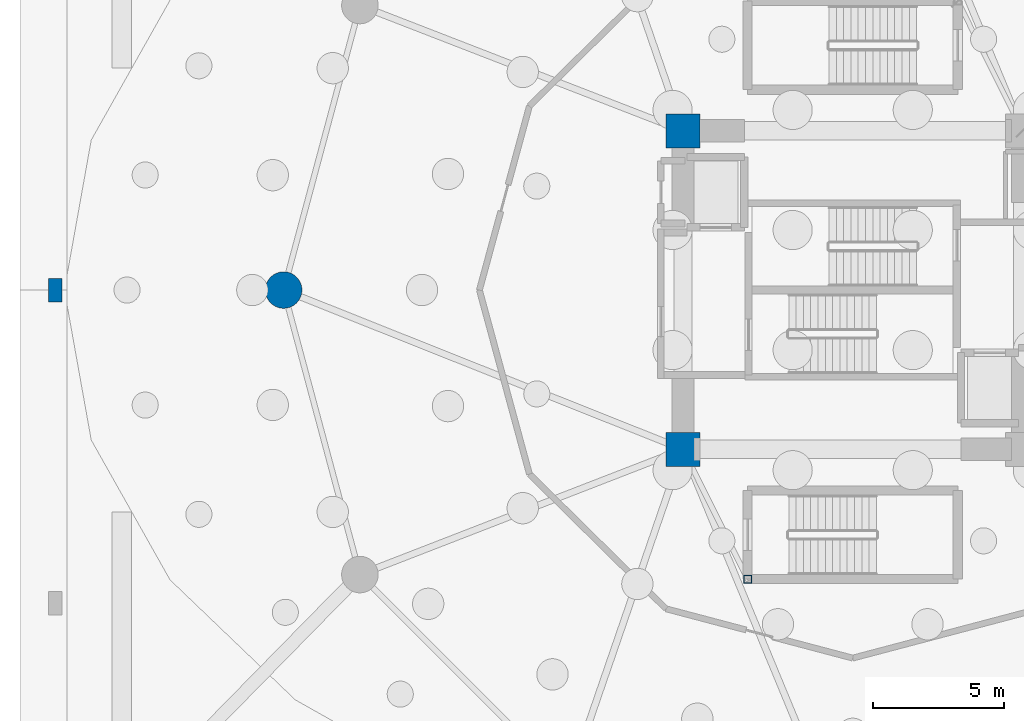
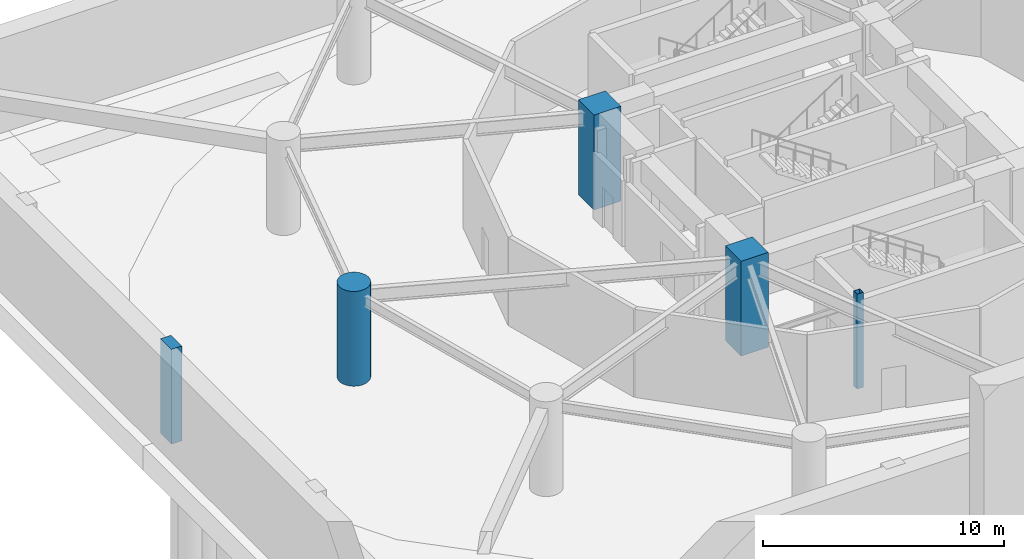
# One storey, part 2 of 12: 5 columns.
"""IFC4 building model written with IfcOpenShell, lengths in metres."""

from ifc_helpers import new_model, si_unit, direction, frame, origin, origin_2d, place, context, subcontext, project, spatial, rectangle, hollow_rectangle, circle, extrude, material, material_profile, profile_set, type_object, element, save


model = new_model("IFC4")

# Units and contexts
model_context = context("Model", 3, precision=1e-05, world=origin(), true_north=direction((0.0, 1.0)))
body_context = subcontext(model_context, "Body", "Model", "MODEL_VIEW")
ifc_project = project(units=[si_unit("LENGTHUNIT", "METRE"), si_unit("AREAUNIT", "SQUARE_METRE"), si_unit("VOLUMEUNIT", "CUBIC_METRE"), si_unit("PLANEANGLEUNIT", "RADIAN"), si_unit("MASSUNIT", "GRAM", prefix="KILO")], contexts=[model_context])

# Site, building, storey
site_placement = place(None, origin())
site = spatial("IfcSite", under=ifc_project, at=site_placement, CompositionType="ELEMENT")
building_placement = place(site_placement, origin())
building = spatial("IfcBuilding", under=site, at=building_placement, Name="Solvirekh Grand Hotel", CompositionType="ELEMENT")
storey_placement = place(building_placement, frame((0.0, 0.0, -9.60009765625)))
storey = spatial("IfcBuildingStorey", under=building, at=storey_placement, Name="B02", CompositionType="ELEMENT", Elevation=-9.60009765625)

# Columns
ifc_material_1 = material(Name="Concrete C60/75", Category="concrete")
ifc_material_profile_1 = material_profile(ifc_material_1, circle(Radius=0.699951171875, at=origin_2d()), Name="RC CIRC D1400")
ifc_profile_set_1 = profile_set([ifc_material_profile_1], Name="Concrete C60/75")
column_type_1 = type_object("IfcColumnType", Name="Col_Base_D1400", PredefinedType="COLUMN", material=ifc_profile_set_1)
column_1_placement = place(storey_placement, frame((-21.800048828125, 0.0, 0.0), z_axis=(0.0, 0.0, 1.0), x_axis=(1.0, 0.0, 0.0)))
element("IfcColumn", 1, at=column_1_placement, inside=storey, type_object=column_type_1, Name="B02 perimeter column P07", PredefinedType="COLUMN", context=body_context, shape_type="SweptSolid", body=[
    extrude(circle(Radius=0.699951171875, at=origin_2d()), origin(), (0.0, 0.0, 1.0), 4.800048828125),
])
ifc_material_profile_2 = material_profile(ifc_material_1, rectangle(XDim=1.300048828125, YDim=1.300048828125, at=origin_2d()), Name="RC 1300X1300")
ifc_profile_set_2 = profile_set([ifc_material_profile_2], Name="Concrete C60/75")
column_type_2 = type_object("IfcColumnType", Name="Col_Core_1300", PredefinedType="COLUMN", material=ifc_profile_set_2)
for number, where, z_axis, x_axis, name in (
    (2, (-6.5, -6.10009765625, 0.0), (0.0, 0.0, 1.0), (1.0, 0.0, 0.0), "B02 core corner column CC1"),
    (3, (-6.5, 6.10009765625, 0.0), (0.0, 0.0, 1.0), (1.0, 0.0, 0.0), "B02 core corner column CC4"),
):
    element("IfcColumn", number, at=place(storey_placement, frame(where, z_axis=z_axis, x_axis=x_axis)), inside=storey, type_object=column_type_2, Name=name, PredefinedType="COLUMN", context=body_context, shape_type="SweptSolid", body=[
        extrude(rectangle(XDim=1.300048828125, YDim=1.300048828125, at=origin_2d()), origin(), (0.0, 0.0, 1.0), 4.800048828125),
    ])
ifc_material_2 = material(Name="Steel S355", Category="steel")
ifc_material_profile_3 = material_profile(ifc_material_2, hollow_rectangle(XDim=0.300048828125, YDim=0.300048828125, WallThickness=0.01611328125, at=origin_2d()), Name="SHS 300X300X16")
ifc_profile_set_3 = profile_set([ifc_material_profile_3], Name="Steel S355")
column_type_3 = type_object("IfcColumnType", Name="Col_Pod_SHS300", PredefinedType="COLUMN", material=ifc_profile_set_3)
column_2_placement = place(storey_placement, frame((-4.02490234375, -11.074951171875, 0.0), z_axis=(0.0, 0.0, 1.0), x_axis=(1.0, 0.0, 0.0)))
element("IfcColumn", 4, at=column_2_placement, inside=storey, type_object=column_type_3, Name="B02 podium stair enclosure post 1", PredefinedType="COLUMN", context=body_context, shape_type="SweptSolid", body=[
    extrude(hollow_rectangle(XDim=0.300048828125, YDim=0.300048828125, WallThickness=0.01611328125, at=origin_2d()), origin(), (0.0, 0.0, 1.0), 4.800048828125),
])
ifc_material_3 = material(Name="Concrete C50/60", Category="concrete")
ifc_material_profile_4 = material_profile(ifc_material_3, rectangle(XDim=0.5, YDim=0.89990234375, at=origin_2d()), Name="RC PILASTER 900X500")
ifc_profile_set_4 = profile_set([ifc_material_profile_4], Name="Concrete C50/60")
column_type_4 = type_object("IfcColumnType", Name="Pilaster_900X500", PredefinedType="PILASTER", material=ifc_profile_set_4)
column_3_placement = place(storey_placement, frame((-30.550048828125, 0.0, 0.0), z_axis=(0.0, 0.0, 1.0), x_axis=(1.0, 0.0, 0.0)))
element("IfcColumn", 5, at=column_3_placement, inside=storey, type_object=column_type_4, Name="B02 retaining wall pilaster 2", PredefinedType="PILASTER", context=body_context, shape_type="SweptSolid", body=[
    extrude(rectangle(XDim=0.5, YDim=0.89990234375, at=origin_2d()), origin(), (0.0, 0.0, 1.0), 4.800048828125),
])

save(model, "model.ifc")
